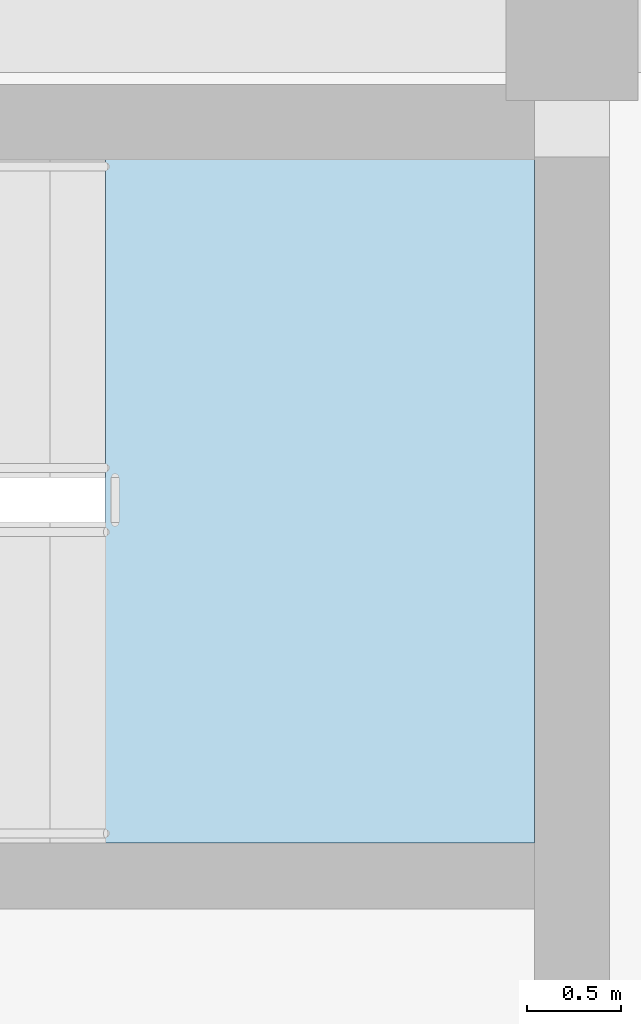
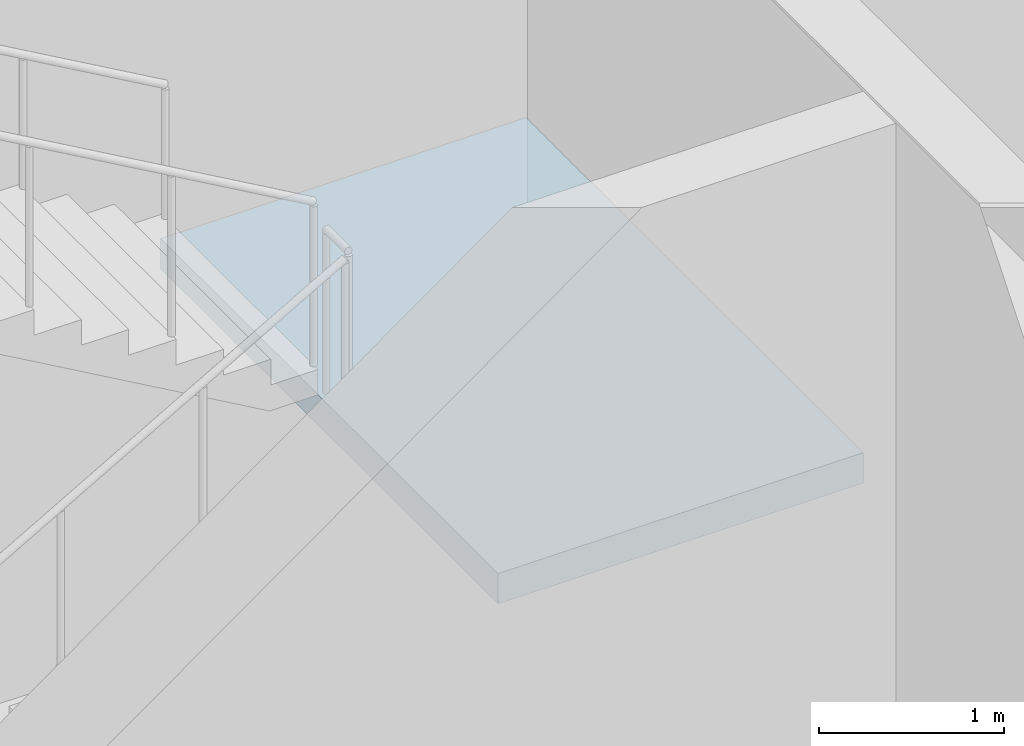
# One storey, part 91 of 139: 1 slab, 1 element without a shape of its own.
"""IFC4 building model written with IfcOpenShell, lengths in metres."""

from ifc_helpers import new_model, si_unit, direction, frame, origin, place, context, subcontext, project, spatial, polyline, outline, extrude, material, layer, layer_set, type_object, element, aggregate, save


model = new_model("IFC4")

# Units and contexts
model_context = context("Model", 3, precision=1e-05, world=origin(), true_north=direction((0.0, 1.0)))
body_context = subcontext(model_context, "Body", "Model", "MODEL_VIEW")
ifc_project = project(units=[si_unit("LENGTHUNIT", "METRE"), si_unit("AREAUNIT", "SQUARE_METRE"), si_unit("VOLUMEUNIT", "CUBIC_METRE"), si_unit("PLANEANGLEUNIT", "RADIAN"), si_unit("MASSUNIT", "GRAM", prefix="KILO")], contexts=[model_context])

# Site, building, storey
site_placement = place(None, origin())
site = spatial("IfcSite", under=ifc_project, at=site_placement, CompositionType="ELEMENT")
building_placement = place(site_placement, origin())
building = spatial("IfcBuilding", under=site, at=building_placement, Name="Zayran Congress Hotel", CompositionType="ELEMENT")
storey_placement = place(building_placement, frame((0.0, 0.0, 5.39990234375)))
storey = spatial("IfcBuildingStorey", under=building, at=storey_placement, Name="L01", CompositionType="ELEMENT", Elevation=5.39990234375)

# Stair, slab
ifc_material = material(Name="Concrete C32/40", Category="concrete")
stair_type = type_object("IfcStairType", Name="TP-STR-1700-54", PredefinedType="USERDEFINED", material=ifc_material)
stair_placement = place(storey_placement, origin())
stair = element("IfcStair", 1, at=stair_placement, inside=storey, type_object=stair_type, Name="L01 ST-08", ObjectType="TWO_RETURN_STAIR", PredefinedType="USERDEFINED")
ifc_layer = layer(ifc_material, 0.199951171875)
ifc_layer_set = layer_set([ifc_layer], Name="Concrete C32/40")
slab_type = type_object("IfcSlabType", Name="TP-LND-1700", PredefinedType="LANDING", material=ifc_layer_set)
slab_placement = place(storey_placement, frame((0.0, 0.0, 2.5)))
slab = element("IfcSlab", 2, at=slab_placement, type_object=slab_type, Name="ST-08 landing 1", PredefinedType="LANDING", context=body_context, shape_type="SweptSolid", body=[
    extrude(outline(polyline([(123.52490234375, 54.909912109375), (125.800048828125, 54.909912109375), (125.800048828125, 58.550048828125), (123.52490234375, 58.550048828125), (123.52490234375, 54.909912109375)])), origin(), (0.0, 0.0, 1.0), 0.2001953125),
])
aggregate(stair, [slab])

save(model, "model.ifc")
